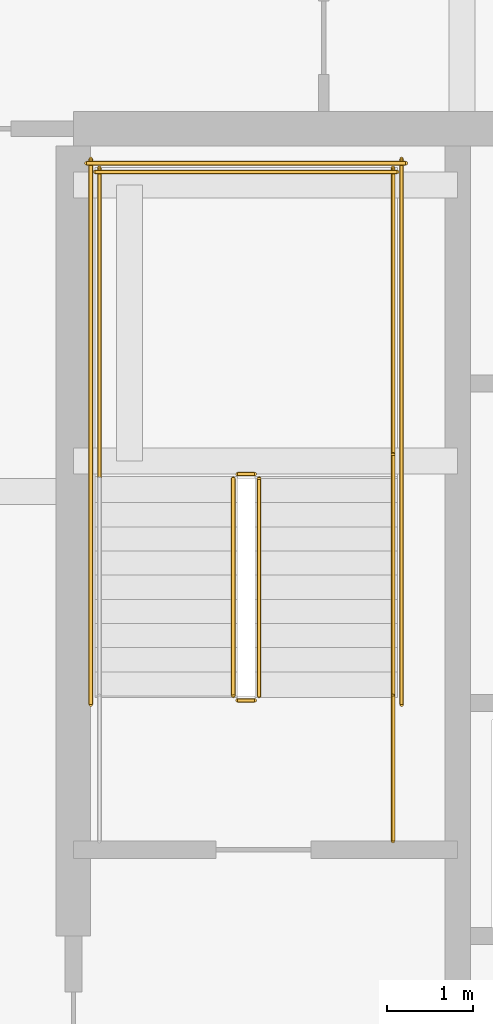
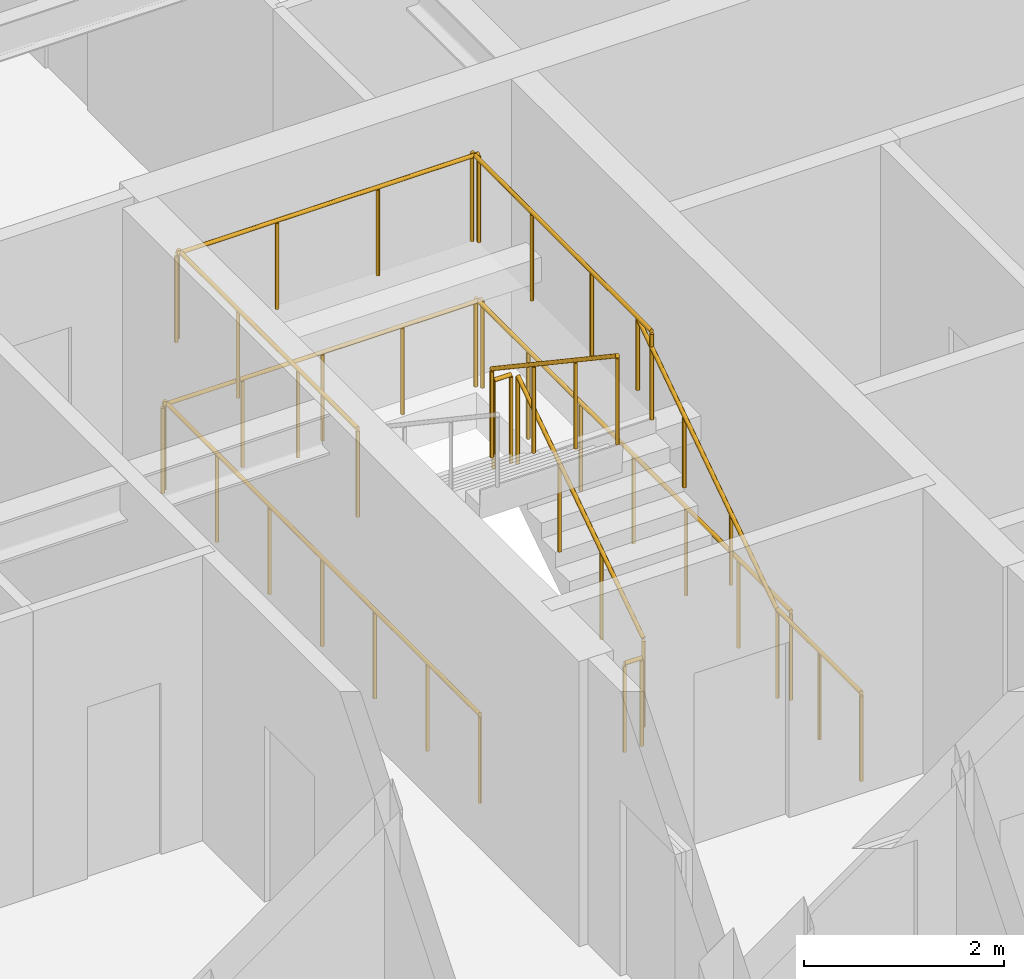
# One storey, part 35 of 38: 12 railings.
"""IFC4 building model written with IfcOpenShell, lengths in metres."""

from ifc_helpers import new_model, si_unit, direction, frame, origin, origin_2d, place, context, subcontext, project, spatial, circle, extrude, material, type_object, element, save


model = new_model("IFC4")

# Units and contexts
model_context = context("Model", 3, precision=1e-05, world=origin(), true_north=direction((0.0, 1.0)))
body_context = subcontext(model_context, "Body", "Model", "MODEL_VIEW")
ifc_project = project(units=[si_unit("LENGTHUNIT", "METRE"), si_unit("AREAUNIT", "SQUARE_METRE"), si_unit("VOLUMEUNIT", "CUBIC_METRE"), si_unit("PLANEANGLEUNIT", "RADIAN"), si_unit("MASSUNIT", "GRAM", prefix="KILO")], contexts=[model_context])

# Site, building, storey
site_placement = place(None, origin())
site = spatial("IfcSite", under=ifc_project, at=site_placement, CompositionType="ELEMENT")
building_placement = place(site_placement, origin())
building = spatial("IfcBuilding", under=site, at=building_placement, Name="Serunith Strait Residences", CompositionType="ELEMENT")
storey_placement = place(building_placement, frame((0.0, 0.0, 120.14990234375)))
storey = spatial("IfcBuildingStorey", under=building, at=storey_placement, Name="L29", CompositionType="ELEMENT", Elevation=120.14990234375)

# Railings
ifc_material = material(Name="Brushed stainless steel 316L", Category="steel")
railing_type_1 = type_object("IfcRailingType", Name="RLG-STAIR-GUARD", PredefinedType="BALUSTRADE", material=ifc_material)
railing_1_placement = place(storey_placement, frame((25.550048828125, 27.030029296875, 0.1875)))
element("IfcRailing", 1, at=railing_1_placement, inside=storey, type_object=railing_type_1, Name="L29 ST-1 stair guard 1", PredefinedType="BALUSTRADE", context=body_context, shape_type="SweptSolid", body=[
    extrude(circle(Radius=0.02392578125, at=origin_2d()), frame((0.0, 0.001708984375, 1.0771484375), z_axis=(0.0, 0.830909170722, 0.55640807867), x_axis=(-1.0, 0.0, 0.0)), (0.0, 0.0, 1.0), 3.02880859375),
    extrude(circle(Radius=0.02099609375, at=origin_2d()), origin(), (0.0, 0.0, 1.0), 1.050048828125),
    extrude(circle(Radius=0.02099609375, at=origin_2d()), frame((0.0, 0.840087890625, 0.5625)), (0.0, 0.0, 1.0), 1.050048828125),
    extrude(circle(Radius=0.02099609375, at=origin_2d()), frame((0.0, 1.679931640625, 1.125)), (0.0, 0.0, 1.0), 1.050048828125),
    extrude(circle(Radius=0.02099609375, at=origin_2d()), frame((0.0, 2.52001953125, 1.6875)), (0.0, 0.0, 1.0), 1.050048828125),
])
railing_2_placement = place(storey_placement, frame((25.5, 29.60009765625, 1.875)))
element("IfcRailing", 2, at=railing_2_placement, inside=storey, type_object=railing_type_1, Name="L29 ST-1 stair guard 2", PredefinedType="BALUSTRADE", context=body_context, shape_type="SweptSolid", body=[
    extrude(circle(Radius=0.02392578125, at=origin_2d()), frame((-0.001953125, 0.0, 1.076171875), z_axis=(-1.0, 0.0, 0.0), x_axis=(0.0, -1.0, 0.0)), (0.0, 0.0, 1.0), 0.196044921875),
    extrude(circle(Radius=0.02099609375, at=origin_2d()), origin(), (0.0, 0.0, 1.0), 1.050048828125),
    extrude(circle(Radius=0.02099609375, at=origin_2d()), frame((-0.199951171875, 0.0, 0.0)), (0.0, 0.0, 1.0), 1.050048828125),
])
for number, where, name in (
    (3, (27.10009765625, 29.550048828125, 1.875), "L29 ST-1 stair guard 3"),
    (4, (23.699951171875, 29.550048828125, 1.875), "L29 ST-1 stair guard 4"),
):
    element("IfcRailing", number, at=place(storey_placement, frame(where)), inside=storey, type_object=railing_type_1, Name=name, PredefinedType="BALUSTRADE", context=body_context, shape_type="SweptSolid", body=[
        extrude(circle(Radius=0.02392578125, at=origin_2d()), frame((0.0, 0.001953125, 1.076171875), z_axis=(0.0, 1.0, 0.0), x_axis=(-1.0, 0.0, 0.0)), (0.0, 0.0, 1.0), 3.595947265625),
        extrude(circle(Radius=0.02099609375, at=origin_2d()), origin(), (0.0, 0.0, 1.0), 1.050048828125),
        extrude(circle(Radius=0.02099609375, at=origin_2d()), frame((0.0, 1.199951171875, 0.0)), (0.0, 0.0, 1.0), 1.050048828125),
        extrude(circle(Radius=0.02099609375, at=origin_2d()), frame((0.0, 2.39990234375, 0.0)), (0.0, 0.0, 1.0), 1.050048828125),
        extrude(circle(Radius=0.02099609375, at=origin_2d()), frame((0.0, 3.599853515625, 0.0)), (0.0, 0.0, 1.0), 1.050048828125),
    ])
railing_3_placement = place(storey_placement, frame((27.14990234375, 33.10009765625, 1.875)))
element("IfcRailing", 5, at=railing_3_placement, inside=storey, type_object=railing_type_1, Name="L29 ST-1 stair guard 5", PredefinedType="BALUSTRADE", context=body_context, shape_type="SweptSolid", body=[
    extrude(circle(Radius=0.02392578125, at=origin_2d()), frame((-0.001953125, 0.0, 1.076171875), z_axis=(-1.0, 0.0, 0.0), x_axis=(0.0, -1.0, 0.0)), (0.0, 0.0, 1.0), 3.49609375),
    extrude(circle(Radius=0.02099609375, at=origin_2d()), origin(), (0.0, 0.0, 1.0), 1.050048828125),
    extrude(circle(Radius=0.02099609375, at=origin_2d()), frame((-1.166748046875, 0.0, 0.0)), (0.0, 0.0, 1.0), 1.050048828125),
    extrude(circle(Radius=0.02099609375, at=origin_2d()), frame((-2.333251953125, 0.0, 0.0)), (0.0, 0.0, 1.0), 1.050048828125),
    extrude(circle(Radius=0.02099609375, at=origin_2d()), frame((-3.5, 0.0, 0.0)), (0.0, 0.0, 1.0), 1.050048828125),
])
railing_4_placement = place(storey_placement, frame((25.25, 29.550048828125, 2.0625)))
element("IfcRailing", 6, at=railing_4_placement, inside=storey, type_object=railing_type_1, Name="L29 ST-1 stair guard 6", PredefinedType="BALUSTRADE", context=body_context, shape_type="SweptSolid", body=[
    extrude(circle(Radius=0.02392578125, at=origin_2d()), frame((0.0, -0.001708984375, 1.0771484375), z_axis=(0.0, -0.830909170722, 0.55640807867), x_axis=(1.0, 0.0, 0.0)), (0.0, 0.0, 1.0), 3.02880859375),
    extrude(circle(Radius=0.02099609375, at=origin_2d()), origin(), (0.0, 0.0, 1.0), 1.050048828125),
    extrude(circle(Radius=0.02099609375, at=origin_2d()), frame((0.0, -0.840087890625, 0.5625)), (0.0, 0.0, 1.0), 1.050048828125),
    extrude(circle(Radius=0.02099609375, at=origin_2d()), frame((0.0, -1.679931640625, 1.125)), (0.0, 0.0, 1.0), 1.050048828125),
    extrude(circle(Radius=0.02099609375, at=origin_2d()), frame((0.0, -2.52001953125, 1.6875)), (0.0, 0.0, 1.0), 1.050048828125),
])
railing_5_placement = place(storey_placement, frame((25.5, 26.97998046875, 0.0)))
element("IfcRailing", 7, at=railing_5_placement, inside=storey, type_object=railing_type_1, Name="L29 ST-1 stair guard 7", PredefinedType="BALUSTRADE", context=body_context, shape_type="SweptSolid", body=[
    extrude(circle(Radius=0.02392578125, at=origin_2d()), frame((-0.001953125, 0.0, 1.076171875), z_axis=(-1.0, 0.0, 0.0), x_axis=(0.0, -1.0, 0.0)), (0.0, 0.0, 1.0), 0.196044921875),
    extrude(circle(Radius=0.02099609375, at=origin_2d()), origin(), (0.0, 0.0, 1.0), 1.050048828125),
    extrude(circle(Radius=0.02099609375, at=origin_2d()), frame((-0.199951171875, 0.0, 0.0)), (0.0, 0.0, 1.0), 1.050048828125),
])
railing_6_placement = place(storey_placement, frame((27.10009765625, 25.35009765625, 0.0)))
element("IfcRailing", 8, at=railing_6_placement, inside=storey, type_object=railing_type_1, Name="L29 ST-1 stair guard 8", PredefinedType="BALUSTRADE", context=body_context, shape_type="SweptSolid", body=[
    extrude(circle(Radius=0.02392578125, at=origin_2d()), frame((0.0, 0.001953125, 1.076171875), z_axis=(0.0, 1.0, 0.0), x_axis=(-1.0, 0.0, 0.0)), (0.0, 0.0, 1.0), 1.676025390625),
    extrude(circle(Radius=0.02099609375, at=origin_2d()), origin(), (0.0, 0.0, 1.0), 1.050048828125),
    extrude(circle(Radius=0.02099609375, at=origin_2d()), frame((0.0, 0.83984375, 0.0)), (0.0, 0.0, 1.0), 1.050048828125),
    extrude(circle(Radius=0.02099609375, at=origin_2d()), frame((0.0, 1.679931640625, 0.0)), (0.0, 0.0, 1.0), 1.050048828125),
])
for number, where, name in (
    (9, (27.199951171875, 26.929931640625, 0.0), "L29 ST-1 stair guard 10"),
    (10, (23.60009765625, 26.929931640625, 0.0), "L29 ST-1 stair guard 11"),
):
    element("IfcRailing", number, at=place(storey_placement, frame(where)), inside=storey, type_object=railing_type_1, Name=name, PredefinedType="BALUSTRADE", context=body_context, shape_type="SweptSolid", body=[
        extrude(circle(Radius=0.02392578125, at=origin_2d()), frame((0.0, 0.001953125, 1.076171875), z_axis=(0.0, 1.0, 0.0), x_axis=(-1.0, 0.0, 0.0)), (0.0, 0.0, 1.0), 6.316162109375),
        extrude(circle(Radius=0.02099609375, at=origin_2d()), origin(), (0.0, 0.0, 1.0), 1.050048828125),
        extrude(circle(Radius=0.02099609375, at=origin_2d()), frame((0.0, 1.05322265625, 0.0)), (0.0, 0.0, 1.0), 1.050048828125),
        extrude(circle(Radius=0.02099609375, at=origin_2d()), frame((0.0, 2.106689453125, 0.0)), (0.0, 0.0, 1.0), 1.050048828125),
        extrude(circle(Radius=0.02099609375, at=origin_2d()), frame((0.0, 3.16015625, 0.0)), (0.0, 0.0, 1.0), 1.050048828125),
        extrude(circle(Radius=0.02099609375, at=origin_2d()), frame((0.0, 4.21337890625, 0.0)), (0.0, 0.0, 1.0), 1.050048828125),
        extrude(circle(Radius=0.02099609375, at=origin_2d()), frame((0.0, 5.2666015625, 0.0)), (0.0, 0.0, 1.0), 1.050048828125),
        extrude(circle(Radius=0.02099609375, at=origin_2d()), frame((0.0, 6.320068359375, 0.0)), (0.0, 0.0, 1.0), 1.050048828125),
    ])
railing_7_placement = place(storey_placement, frame((27.25, 33.199951171875, 0.0)))
element("IfcRailing", 11, at=railing_7_placement, inside=storey, type_object=railing_type_1, Name="L29 ST-1 stair guard 12", PredefinedType="BALUSTRADE", context=body_context, shape_type="SweptSolid", body=[
    extrude(circle(Radius=0.02392578125, at=origin_2d()), frame((-0.001953125, 0.0, 1.076171875), z_axis=(-1.0, 0.0, 0.0), x_axis=(0.0, -1.0, 0.0)), (0.0, 0.0, 1.0), 3.696044921875),
    extrude(circle(Radius=0.02099609375, at=origin_2d()), origin(), (0.0, 0.0, 1.0), 1.050048828125),
    extrude(circle(Radius=0.02099609375, at=origin_2d()), frame((-0.925048828125, 0.0, 0.0)), (0.0, 0.0, 1.0), 1.050048828125),
    extrude(circle(Radius=0.02099609375, at=origin_2d()), frame((-1.85009765625, 0.0, 0.0)), (0.0, 0.0, 1.0), 1.050048828125),
    extrude(circle(Radius=0.02099609375, at=origin_2d()), frame((-2.77490234375, 0.0, 0.0)), (0.0, 0.0, 1.0), 1.050048828125),
    extrude(circle(Radius=0.02099609375, at=origin_2d()), frame((-3.699951171875, 0.0, 0.0)), (0.0, 0.0, 1.0), 1.050048828125),
])
railing_type_2 = type_object("IfcRailingType", Name="RLG-STAIR-HR", PredefinedType="HANDRAIL", material=ifc_material)
railing_8_placement = place(storey_placement, frame((27.10009765625, 27.030029296875, 0.1875)))
element("IfcRailing", 12, at=railing_8_placement, inside=storey, type_object=railing_type_2, Name="L29 ST-1 stair handrail 1", PredefinedType="HANDRAIL", context=body_context, shape_type="SweptSolid", body=[
    extrude(circle(Radius=0.02392578125, at=origin_2d()), frame((0.0, 0.001708984375, 0.876953125), z_axis=(0.0, 0.830208209119, 0.557453432594), x_axis=(-1.0, 0.0, 0.0)), (0.0, 0.0, 1.0), 3.36865234375),
    extrude(circle(Radius=0.02099609375, at=origin_2d()), origin(), (0.0, 0.0, 1.0), 0.849853515625),
    extrude(circle(Radius=0.02099609375, at=origin_2d()), frame((0.0, 0.933349609375, 0.626708984375)), (0.0, 0.0, 1.0), 0.849853515625),
    extrude(circle(Radius=0.02099609375, at=origin_2d()), frame((0.0, 1.86669921875, 1.25341796875)), (0.0, 0.0, 1.0), 0.849853515625),
    extrude(circle(Radius=0.02099609375, at=origin_2d()), frame((0.0, 2.800048828125, 1.880126953125)), (0.0, 0.0, 1.0), 0.849853515625),
])

save(model, "model.ifc")
